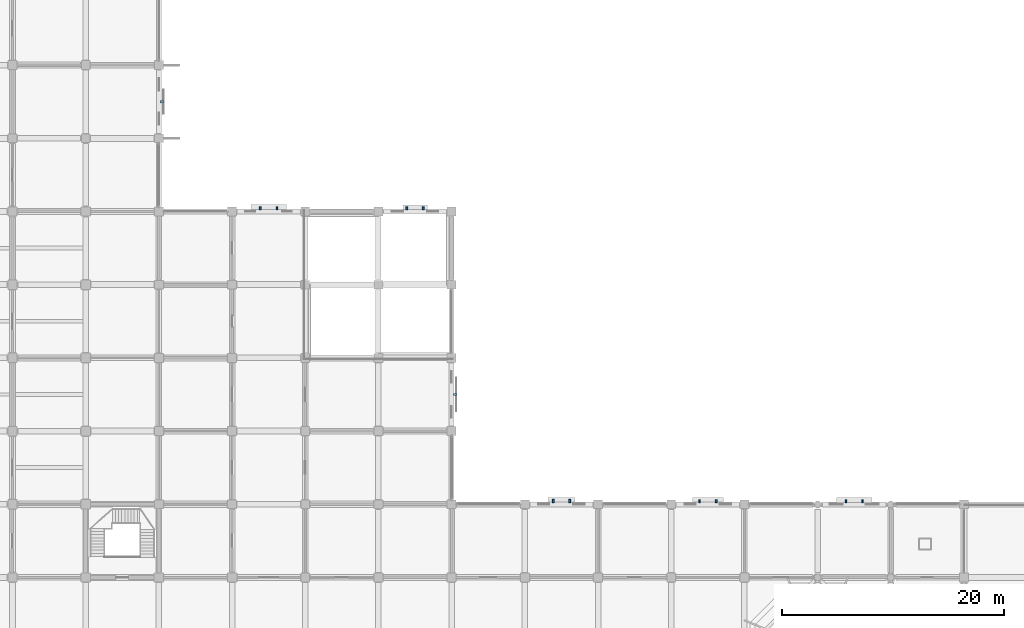
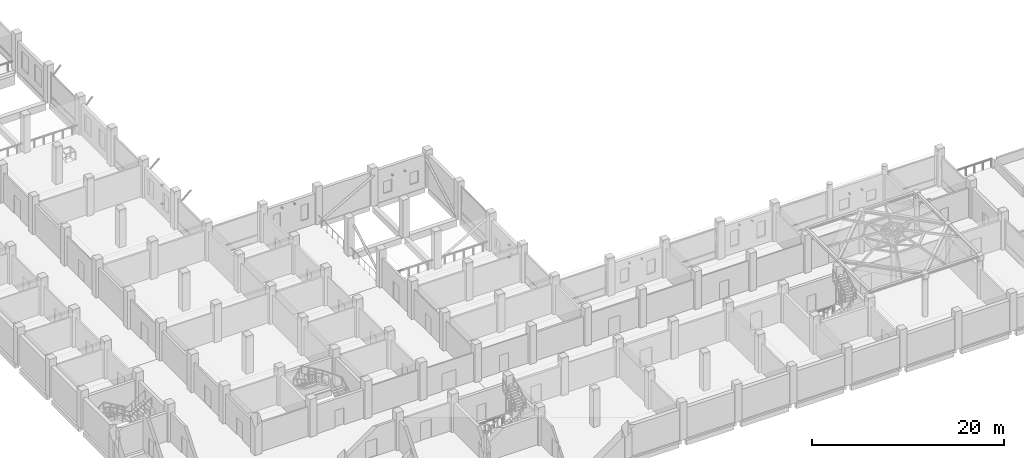
# One storey, part 27 of 34: 14 discrete accessories.
"""IFC4 building model written with IfcOpenShell, lengths in metres."""

from ifc_helpers import new_model, si_unit, direction, frame, origin, origin_2d, place, context, subcontext, project, spatial, rectangle, extrude, material, type_object, element, save


model = new_model("IFC4")

# Units and contexts
model_context = context("Model", 3, precision=1e-05, world=origin(), true_north=direction((0.0, 1.0)))
body_context = subcontext(model_context, "Body", "Model", "MODEL_VIEW")
ifc_project = project(units=[si_unit("LENGTHUNIT", "METRE"), si_unit("AREAUNIT", "SQUARE_METRE"), si_unit("VOLUMEUNIT", "CUBIC_METRE"), si_unit("PLANEANGLEUNIT", "RADIAN"), si_unit("MASSUNIT", "GRAM", prefix="KILO")], contexts=[model_context])

# Site, building, storey
site_placement = place(None, origin())
site = spatial("IfcSite", under=ifc_project, at=site_placement, CompositionType="ELEMENT")
building_placement = place(site_placement, origin())
building = spatial("IfcBuilding", under=site, at=building_placement, Name="Rusizi Kubbe Research Institute", CompositionType="ELEMENT")
storey_placement = place(building_placement, frame((0.0, 0.0, 5.39990234375)))
storey = spatial("IfcBuildingStorey", under=building, at=storey_placement, Name="L01", CompositionType="ELEMENT", Elevation=5.39990234375)

# Discrete accessories
ifc_material_1 = material(Name="Steel S355", Category="steel")
discrete_accessory_type_1 = type_object("IfcDiscreteAccessoryType", Name="BK-01", PredefinedType="BRACKET", material=ifc_material_1)
for number, where, z_axis, x_axis, name in (
    (1, (26.702392578125, 62.699951171875, 0.740234375), (0.0, 0.0, 1.0), (1.0, 0.0, 0.0), "Solar Screen Bracket 21-1"),
    (2, (26.702392578125, 62.699951171875, 3.1201171875), (0.0, 0.0, 1.0), (1.0, 0.0, 0.0), "Solar Screen Bracket 21-2"),
    (3, (53.1025390625, 36.300048828125, 0.740234375), (0.0, 0.0, 1.0), (1.0, 0.0, 0.0), "Solar Screen Bracket 28-1"),
    (4, (53.1025390625, 36.300048828125, 2.2802734375), (0.0, 0.0, 1.0), (1.0, 0.0, 0.0), "Solar Screen Bracket 28-2"),
):
    element("IfcDiscreteAccessory", number, at=place(storey_placement, frame(where, z_axis=z_axis, x_axis=x_axis)), inside=storey, type_object=discrete_accessory_type_1, Name=name, PredefinedType="BRACKET", context=body_context, shape_type="SweptSolid", body=[
        extrude(rectangle(XDim=0.300048828125, YDim=0.219970703125, at=origin_2d()), origin(), (0.0, 0.0, 1.0), 0.179931640625),
    ])
ifc_material_2 = material(Name="Steel S355", Category="steel")
discrete_accessory_type_2 = type_object("IfcDiscreteAccessoryType", Name="BK-02", PredefinedType="BRACKET", material=ifc_material_2)
for number, where, z_axis, x_axis, name in (
    (5, (35.550048828125, 53.092529296875, 2.9599609375), (0.0, 0.0, 1.0), (1.0, 0.0, 0.0), "Louver Canopy Bracket 14-1"),
    (6, (37.050048828125, 53.092529296875, 2.9599609375), (0.0, 0.0, 1.0), (1.0, 0.0, 0.0), "Louver Canopy Bracket 14-2"),
    (7, (48.75, 53.077392578125, 2.52001953125), (0.0, 0.0, 1.0), (1.0, 0.0, 0.0), "Louver Canopy Bracket 15-1"),
    (8, (50.25, 53.077392578125, 2.52001953125), (0.0, 0.0, 1.0), (1.0, 0.0, 0.0), "Louver Canopy Bracket 15-2"),
    (9, (61.949951171875, 26.6923828125, 2.740234375), (0.0, 0.0, 1.0), (1.0, 0.0, 0.0), "Louver Canopy Bracket 16-1"),
    (10, (63.449951171875, 26.6923828125, 2.740234375), (0.0, 0.0, 1.0), (1.0, 0.0, 0.0), "Louver Canopy Bracket 16-2"),
    (11, (75.14990234375, 26.677490234375, 2.9599609375), (0.0, 0.0, 1.0), (1.0, 0.0, 0.0), "Louver Canopy Bracket 17-1"),
    (12, (76.64990234375, 26.677490234375, 2.9599609375), (0.0, 0.0, 1.0), (1.0, 0.0, 0.0), "Louver Canopy Bracket 17-2"),
    (13, (88.35009765625, 26.66259765625, 2.30029296875), (0.0, 0.0, 1.0), (1.0, 0.0, 0.0), "Louver Canopy Bracket 18-1"),
    (14, (89.85009765625, 26.66259765625, 2.30029296875), (0.0, 0.0, 1.0), (1.0, 0.0, 0.0), "Louver Canopy Bracket 18-2"),
):
    element("IfcDiscreteAccessory", number, at=place(storey_placement, frame(where, z_axis=z_axis, x_axis=x_axis)), inside=storey, type_object=discrete_accessory_type_2, Name=name, PredefinedType="BRACKET", context=body_context, shape_type="SweptSolid", body=[
        extrude(rectangle(XDim=0.159912109375, YDim=0.280029296875, at=origin_2d()), origin(), (0.0, 0.0, 1.0), 0.179931640625),
    ])

save(model, "model.ifc")
